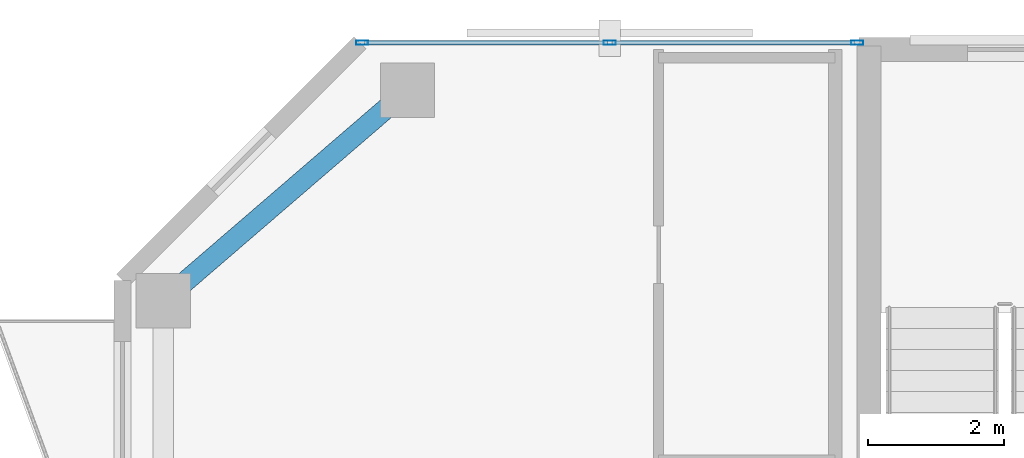
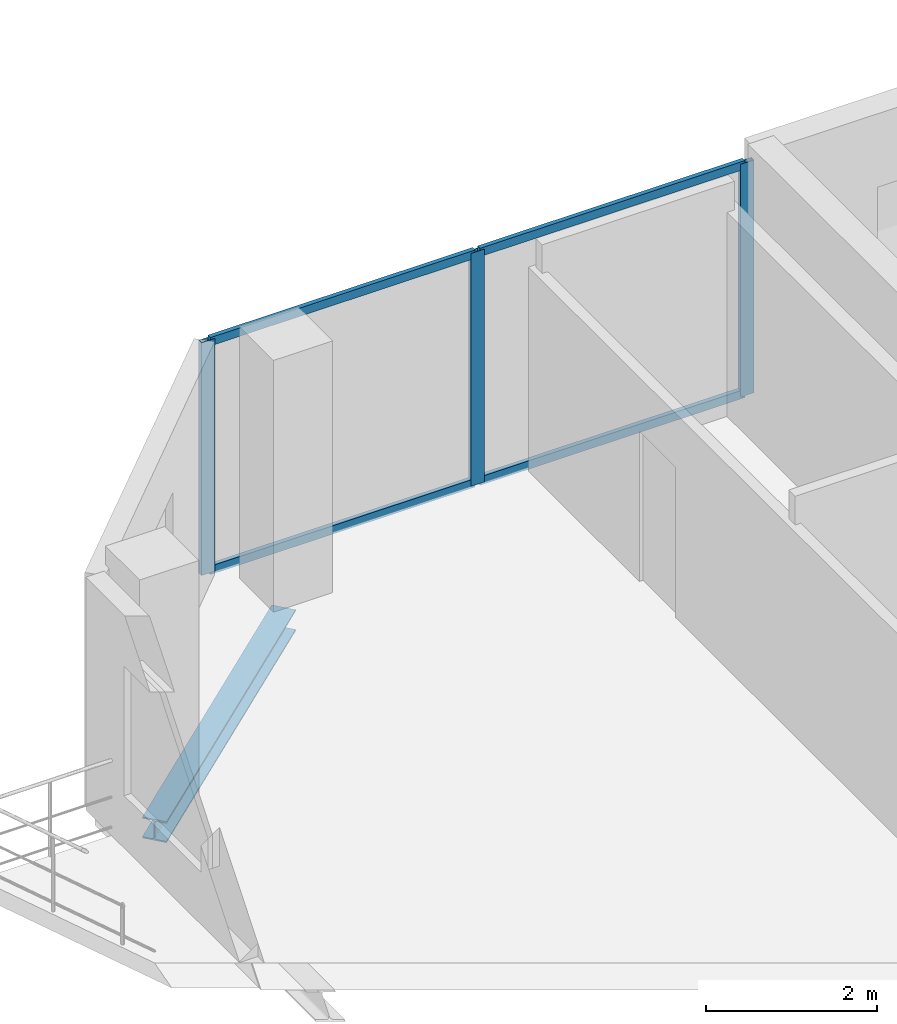
# One storey, part 15 of 23: 7 members, 1 beam, 1 element without a shape of its own.
"""IFC4 building model written with IfcOpenShell, lengths in metres."""

from ifc_helpers import new_model, si_unit, direction, frame, origin, origin_2d, place, context, subcontext, project, spatial, hollow_rectangle, i_section, extrude, material, layer, layer_set, material_profile, profile_set, type_object, element, aggregate, save


model = new_model("IFC4")

# Units and contexts
model_context = context("Model", 3, precision=1e-05, world=origin(), true_north=direction((0.0, 1.0)))
body_context = subcontext(model_context, "Body", "Model", "MODEL_VIEW")
ifc_project = project(units=[si_unit("LENGTHUNIT", "METRE"), si_unit("AREAUNIT", "SQUARE_METRE"), si_unit("VOLUMEUNIT", "CUBIC_METRE"), si_unit("PLANEANGLEUNIT", "RADIAN"), si_unit("MASSUNIT", "GRAM", prefix="KILO")], contexts=[model_context])

# Site, building, storey
site_placement = place(None, origin())
site = spatial("IfcSite", under=ifc_project, at=site_placement, CompositionType="ELEMENT")
building_placement = place(site_placement, origin())
building = spatial("IfcBuilding", under=site, at=building_placement, Name="Catumbela Crestline Tower", CompositionType="ELEMENT")
storey_placement = place(building_placement, frame((0.0, 0.0, 175.8)))
storey = spatial("IfcBuildingStorey", under=building, at=storey_placement, Name="L45", CompositionType="ELEMENT", Elevation=175.8)

# Curtain wall, members
ifc_material_1 = material(Name="Aluminium alloy AW-6060-T66", Category="aluminium")
ifc_layer = layer(ifc_material_1, 0.18, Name="Aluminium alloy AW-6060-T66")
ifc_layer_set = layer_set([ifc_layer], Name="Aluminium alloy AW-6060-T66")
curtain_wall_type = type_object("IfcCurtainWallType", Name="CWU-Z3", PredefinedType="USERDEFINED", material=ifc_layer_set)
curtain_wall_placement = place(storey_placement, origin())
curtain_wall = element("IfcCurtainWall", 1, at=curtain_wall_placement, inside=storey, type_object=curtain_wall_type, Name="L45 Unitised Curtain Wall CW-L45-E7S2", ObjectType="UNITISED", PredefinedType="USERDEFINED")
ifc_material_profile_1 = material_profile(ifc_material_1, hollow_rectangle(XDim=0.065, YDim=0.18, WallThickness=0.004, at=origin_2d()), Name="ALU 180x65x4")
ifc_profile_set_1 = profile_set([ifc_material_profile_1], Name="Aluminium alloy AW-6060-T66")
member_type_1 = type_object("IfcMemberType", Name="MUL-180X65", PredefinedType="MULLION", material=ifc_profile_set_1)
member_1_placement = place(storey_placement, frame((15.8275, 43.0, 0.0), z_axis=(0.0, 0.0, 1.0), x_axis=(0.0, -1.0, 0.0)))
member_1 = element("IfcMember", 2, at=member_1_placement, type_object=member_type_1, Name="CWU-Z3 mullion 1", PredefinedType="MULLION", context=body_context, shape_type="SweptSolid", body=[
    extrude(hollow_rectangle(XDim=0.065, YDim=0.18, WallThickness=0.004, at=origin_2d()), origin(), (0.0, 0.0, 1.0), 3.33),
])
member_2_placement = place(storey_placement, frame((12.18, 43.0, 0.0), z_axis=(0.0, 0.0, 1.0), x_axis=(0.0, -1.0, 0.0)))
member_2 = element("IfcMember", 3, at=member_2_placement, type_object=member_type_1, Name="CWU-Z3 mullion 2", PredefinedType="MULLION", context=body_context, shape_type="SweptSolid", body=[
    extrude(hollow_rectangle(XDim=0.065, YDim=0.18, WallThickness=0.004, at=origin_2d()), origin(), (0.0, 0.0, 1.0), 3.33),
])
member_3_placement = place(storey_placement, frame((8.5325, 43.0, 0.0), z_axis=(0.0, 0.0, 1.0), x_axis=(0.0, -1.0, 0.0)))
member_3 = element("IfcMember", 4, at=member_3_placement, type_object=member_type_1, Name="CWU-Z3 mullion 3", PredefinedType="MULLION", context=body_context, shape_type="SweptSolid", body=[
    extrude(hollow_rectangle(XDim=0.065, YDim=0.18, WallThickness=0.004, at=origin_2d()), origin(), (0.0, 0.0, 1.0), 3.33),
])

# Beam
ifc_material_2 = material(Name="Structural steel S355J2", Category="steel")
ifc_material_profile_2 = material_profile(ifc_material_2, i_section(OverallWidth=0.3, OverallDepth=0.3, WebThickness=0.011, FlangeThickness=0.019, FilletRadius=0.027, at=origin_2d()), Name="HEB 300")
ifc_profile_set_2 = profile_set([ifc_material_profile_2], Name="Structural steel S355J2")
beam_type = type_object("IfcBeamType", Name="BS-HEB300", PredefinedType="SPANDREL", material=ifc_profile_set_2)
beam_placement = place(storey_placement, frame((5.6606, 39.2522, -0.41), z_axis=(0.757772392559, 0.652518966066, 0.0), x_axis=(-0.652518966066, 0.757772392559, 0.0)))
element("IfcBeam", 5, at=beam_placement, inside=storey, type_object=beam_type, Name="L45 Spandrel SP-L45-N10", PredefinedType="SPANDREL", context=body_context, shape_type="SweptSolid", body=[
    extrude(i_section(OverallWidth=0.3, OverallDepth=0.3, WebThickness=0.011, FlangeThickness=0.019, FilletRadius=0.027, at=origin_2d()), origin(), (0.0, 0.0, 1.0), 4.5908),
])

# Member
ifc_material_profile_3 = material_profile(ifc_material_1, hollow_rectangle(XDim=0.06, YDim=0.12, WallThickness=0.0035, at=origin_2d()), Name="ALU 120x60x3.5")
ifc_profile_set_3 = profile_set([ifc_material_profile_3], Name="Aluminium alloy AW-6060-T66")
member_type_2 = type_object("IfcMemberType", Name="TRN-120X60", PredefinedType="USERDEFINED", material=ifc_profile_set_3)
member_4_placement = place(storey_placement, frame((15.795, 43.0, 0.03), z_axis=(-1.0, 0.0, 0.0), x_axis=(0.0, -1.0, 0.0)))
member_4 = element("IfcMember", 6, at=member_4_placement, type_object=member_type_2, Name="CWU-Z3 transom 1.1", ObjectType="TRANSOM", PredefinedType="USERDEFINED", context=body_context, shape_type="SweptSolid", body=[
    extrude(hollow_rectangle(XDim=0.06, YDim=0.12, WallThickness=0.0035, at=origin_2d()), origin(), (0.0, 0.0, 1.0), 3.5825),
])

member_5_placement = place(storey_placement, frame((15.795, 43.0, 3.3), z_axis=(-1.0, 0.0, 0.0), x_axis=(0.0, -1.0, 0.0)))
member_5 = element("IfcMember", 7, at=member_5_placement, type_object=member_type_2, Name="CWU-Z3 transom 1.2", ObjectType="TRANSOM", PredefinedType="USERDEFINED", context=body_context, shape_type="SweptSolid", body=[
    extrude(hollow_rectangle(XDim=0.06, YDim=0.12, WallThickness=0.0035, at=origin_2d()), origin(), (0.0, 0.0, 1.0), 3.5825),
])

member_6_placement = place(storey_placement, frame((12.1475, 43.0, 0.03), z_axis=(-1.0, 0.0, 0.0), x_axis=(0.0, -1.0, 0.0)))
member_6 = element("IfcMember", 8, at=member_6_placement, type_object=member_type_2, Name="CWU-Z3 transom 2.1", ObjectType="TRANSOM", PredefinedType="USERDEFINED", context=body_context, shape_type="SweptSolid", body=[
    extrude(hollow_rectangle(XDim=0.06, YDim=0.12, WallThickness=0.0035, at=origin_2d()), origin(), (0.0, 0.0, 1.0), 3.5825),
])

member_7_placement = place(storey_placement, frame((12.1475, 43.0, 3.3), z_axis=(-1.0, 0.0, 0.0), x_axis=(0.0, -1.0, 0.0)))
member_7 = element("IfcMember", 9, at=member_7_placement, type_object=member_type_2, Name="CWU-Z3 transom 2.2", ObjectType="TRANSOM", PredefinedType="USERDEFINED", context=body_context, shape_type="SweptSolid", body=[
    extrude(hollow_rectangle(XDim=0.06, YDim=0.12, WallThickness=0.0035, at=origin_2d()), origin(), (0.0, 0.0, 1.0), 3.5825),
])

aggregate(curtain_wall, [member_1, member_2, member_3, member_4, member_5, member_6, member_7])

save(model, "model.ifc")
